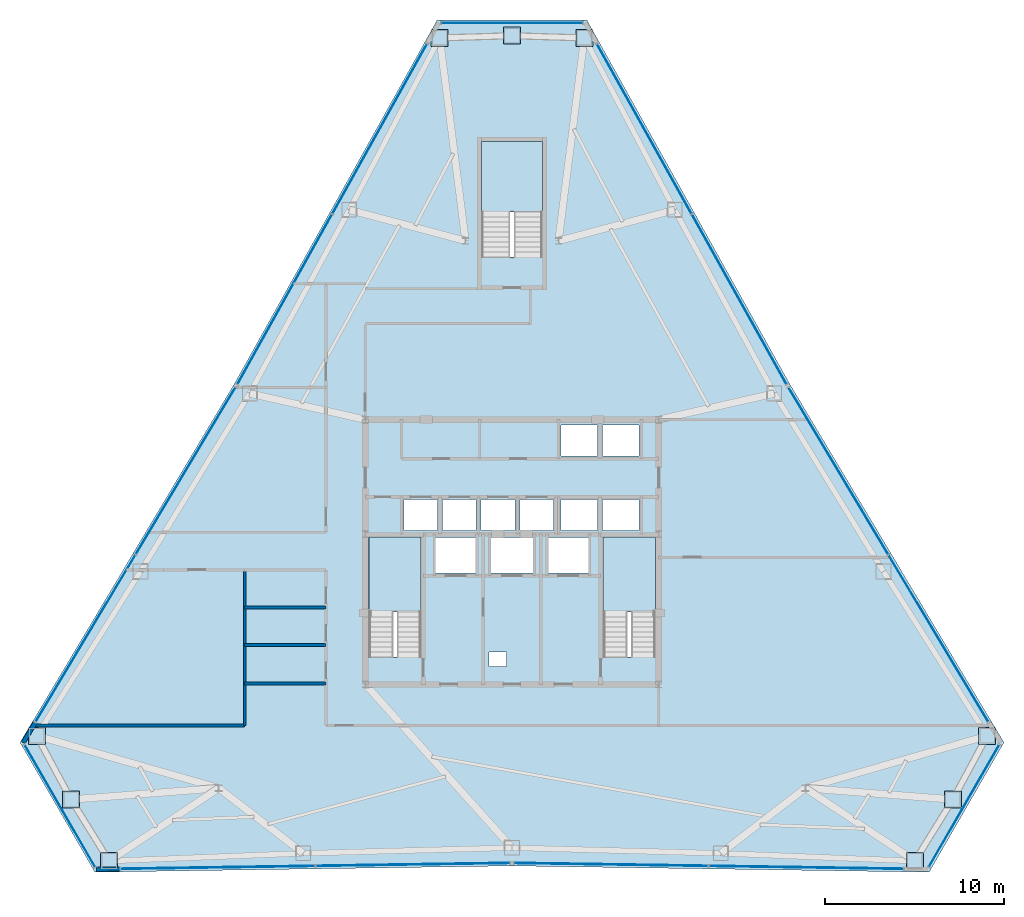
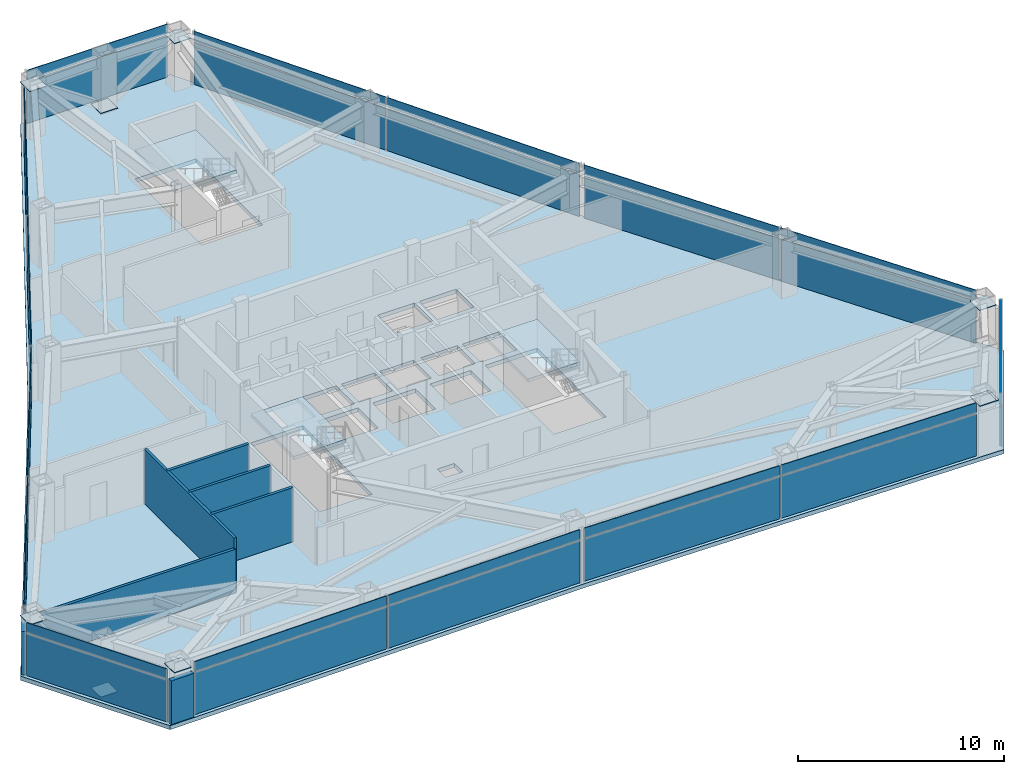
# One storey, part 9 of 13: 39 plates, 7 walls, 4 slabs, 12 elements without a shape of their own.
"""IFC4 building model written with IfcOpenShell, lengths in metres."""

from ifc_helpers import new_model, si_unit, direction, frame, frame_2d, origin, origin_2d, place, context, subcontext, project, spatial, polyline, rectangle, outline, extrude, source, transform, mapped, material, layer, layer_set, type_object, type_shapes, element, aggregate, save


model = new_model("IFC4")

# Units and contexts
model_context = context("Model", 3, precision=1e-05, world=origin(), true_north=direction((0.0, 1.0)))
body_context = subcontext(model_context, "Body", "Model", "MODEL_VIEW")
ifc_project = project(units=[si_unit("LENGTHUNIT", "METRE"), si_unit("AREAUNIT", "SQUARE_METRE"), si_unit("VOLUMEUNIT", "CUBIC_METRE"), si_unit("PLANEANGLEUNIT", "RADIAN"), si_unit("MASSUNIT", "GRAM", prefix="KILO")], contexts=[model_context])

# Site, building, storey
site_placement = place(None, origin())
site = spatial("IfcSite", under=ifc_project, at=site_placement, CompositionType="ELEMENT")
building_placement = place(site_placement, origin())
building = spatial("IfcBuilding", under=site, at=building_placement, Name="Varakhsha Concourse Tower", CompositionType="ELEMENT")
storey_placement = place(building_placement, frame((0.0, 0.0, 143.60009765625)))
storey = spatial("IfcBuildingStorey", under=building, at=storey_placement, Name="L41", CompositionType="ELEMENT", Elevation=143.60009765625)

# Slab
ifc_material_1 = material(Name="Concrete fc 45 MPa", Category="concrete")
ifc_layer_1 = layer(ifc_material_1, 0.239990234375, Name="SL-FLR-240")
ifc_layer_set_1 = layer_set([ifc_layer_1], Name="Concrete fc 45 MPa")
slab_type_1 = type_object("IfcSlabType", Name="SL-FLR-240", PredefinedType="FLOOR", material=ifc_layer_set_1)
slab_1_placement = place(storey_placement, frame((0.0, 0.0, -0.239990234375)))
element("IfcSlab", 1, at=slab_1_placement, inside=storey, type_object=slab_type_1, Name="L41 Composite Structural Slab", PredefinedType="FLOOR", context=body_context, shape_type="SweptSolid", body=[
    extrude(outline(polyline([(44.185791015625, 53.55029296875), (35.814208984375, 53.55029296875), (24.4560546875, 33.17431640625), (12.4892578125, 13.14990234375), (16.6748046875, 5.89990234375), (40.0, 6.25146484375), (63.3251953125, 5.89990234375), (67.5107421875, 13.14990234375), (55.5439453125, 33.17431640625), (44.185791015625, 53.55029296875)]), holes=[polyline([(34.919921875, 17.93994140625), (34.919921875, 24.6298828125), (32.0, 24.6298828125), (32.0, 17.93994140625), (34.919921875, 17.93994140625)]), polyline([(48.02001953125, 17.93994140625), (48.02001953125, 24.6298828125), (45.10009765625, 24.6298828125), (45.10009765625, 17.93994140625), (48.02001953125, 17.93994140625)]), polyline([(41.699951171875, 40.300048828125), (41.699951171875, 46.75), (38.300048828125, 46.75), (38.300048828125, 40.300048828125), (41.699951171875, 40.300048828125)]), polyline([(33.9599609375, 25.0), (35.840087890625, 25.0), (35.840087890625, 26.739990234375), (33.9599609375, 26.739990234375), (33.9599609375, 25.0)]), polyline([(36.1201171875, 25.0), (38.0, 25.0), (38.0, 26.739990234375), (36.1201171875, 26.739990234375), (36.1201171875, 25.0)]), polyline([(38.280029296875, 25.0), (40.159912109375, 25.0), (40.159912109375, 26.739990234375), (38.280029296875, 26.739990234375), (38.280029296875, 25.0)]), polyline([(40.43994140625, 25.0), (42.320068359375, 25.0), (42.320068359375, 26.739990234375), (40.43994140625, 26.739990234375), (40.43994140625, 25.0)]), polyline([(42.739990234375, 29.159912109375), (44.780029296875, 29.159912109375), (44.780029296875, 30.89990234375), (42.739990234375, 30.89990234375), (42.739990234375, 29.159912109375)]), polyline([(45.06005859375, 29.159912109375), (47.10009765625, 29.159912109375), (47.10009765625, 30.89990234375), (45.06005859375, 30.89990234375), (45.06005859375, 29.159912109375)]), polyline([(42.739990234375, 25.0), (44.780029296875, 25.0), (44.780029296875, 26.739990234375), (42.739990234375, 26.739990234375), (42.739990234375, 25.0)]), polyline([(45.06005859375, 25.0), (47.10009765625, 25.0), (47.10009765625, 26.739990234375), (45.06005859375, 26.739990234375), (45.06005859375, 25.0)]), polyline([(35.7099609375, 22.639892578125), (37.989990234375, 22.639892578125), (37.989990234375, 24.60009765625), (35.7099609375, 24.60009765625), (35.7099609375, 22.639892578125)]), polyline([(42.010009765625, 22.639892578125), (44.2900390625, 22.639892578125), (44.2900390625, 24.60009765625), (42.010009765625, 24.60009765625), (42.010009765625, 22.639892578125)]), polyline([(38.81005859375, 22.639892578125), (41.18994140625, 22.639892578125), (41.18994140625, 24.60009765625), (38.81005859375, 24.60009765625), (38.81005859375, 22.639892578125)]), polyline([(38.719970703125, 17.39990234375), (39.679931640625, 17.39990234375), (39.679931640625, 18.199951171875), (38.719970703125, 18.199951171875), (38.719970703125, 17.39990234375)])]), origin(), (0.0, 0.0, 1.0), 0.239990234375),
])

# Stair, slab
stair_type_1 = type_object("IfcStairType", Name="ST-DOGLEG-1360", PredefinedType="HALF_TURN_STAIR", material=ifc_material_1)
stair_1_placement = place(storey_placement, origin())
stair_1 = element("IfcStair", 2, at=stair_1_placement, inside=storey, type_object=stair_type_1, Name="L41 Protected Exit Stair ST1", PredefinedType="HALF_TURN_STAIR")
ifc_layer_2 = layer(ifc_material_1, 0.199951171875, Name="SL-LAND-200")
ifc_layer_set_2 = layer_set([ifc_layer_2], Name="Concrete fc 45 MPa")
slab_type_2 = type_object("IfcSlabType", Name="SL-LAND-200", PredefinedType="LANDING", material=ifc_layer_set_2)
slab_2_placement = place(storey_placement, frame((0.0, 0.0, 1.52490234375)))
slab_2 = element("IfcSlab", 3, at=slab_2_placement, type_object=slab_type_2, Name="ST1 landing 1", PredefinedType="LANDING", context=body_context, shape_type="SweptSolid", body=[
    extrude(outline(polyline([(34.919921875, 20.4599609375), (34.919921875, 24.6298828125), (32.0, 24.6298828125), (32.0, 20.4599609375), (34.919921875, 20.4599609375)])), origin(), (0.0, 0.0, 1.0), 0.199951171875),
])
aggregate(stair_1, [slab_2])

stair_2_placement = place(storey_placement, origin())
stair_2 = element("IfcStair", 4, at=stair_2_placement, inside=storey, type_object=stair_type_1, Name="L41 Protected Exit Stair ST2", PredefinedType="HALF_TURN_STAIR")
slab_3_placement = place(storey_placement, frame((0.0, 0.0, 1.52490234375)))
slab_3 = element("IfcSlab", 5, at=slab_3_placement, type_object=slab_type_2, Name="ST2 landing 1", PredefinedType="LANDING", context=body_context, shape_type="SweptSolid", body=[
    extrude(outline(polyline([(48.02001953125, 20.4599609375), (48.02001953125, 24.6298828125), (45.10009765625, 24.6298828125), (45.10009765625, 20.4599609375), (48.02001953125, 20.4599609375)])), origin(), (0.0, 0.0, 1.0), 0.199951171875),
])
aggregate(stair_2, [slab_3])

stair_type_2 = type_object("IfcStairType", Name="ST-DOGLEG-1600", PredefinedType="HALF_TURN_STAIR", material=ifc_material_1)
stair_3_placement = place(storey_placement, origin())
stair_3 = element("IfcStair", 6, at=stair_3_placement, inside=storey, type_object=stair_type_2, Name="L41 Protected Exit Stair ST5", PredefinedType="HALF_TURN_STAIR")
slab_4_placement = place(storey_placement, frame((0.0, 0.0, 1.52490234375)))
slab_4 = element("IfcSlab", 7, at=slab_4_placement, type_object=slab_type_2, Name="ST5 landing 1", PredefinedType="LANDING", context=body_context, shape_type="SweptSolid", body=[
    extrude(outline(polyline([(41.699951171875, 42.820068359375), (41.699951171875, 46.75), (38.300048828125, 46.75), (38.300048828125, 42.820068359375), (41.699951171875, 42.820068359375)])), origin(), (0.0, 0.0, 1.0), 0.199951171875),
])
aggregate(stair_3, [slab_4])

# Plates
ifc_material_2 = material(Name="Structural Steel ASTM A572 Grade 50", Category="steel")
ifc_layer_3 = layer(ifc_material_2, 0.030029296875, Name="PL-ENDCAP-950")
ifc_layer_set_3 = layer_set([ifc_layer_3], Name="Structural Steel ASTM A572 Grade 50")
plate_type_1 = type_object("IfcPlateType", Name="PL-ENDCAP-950", PredefinedType="USERDEFINED", material=ifc_layer_set_3)
shared_shape_1 = source(origin(), body_context, "Body", "SweptSolid", [
    extrude(rectangle(XDim=0.949951171875, YDim=0.949951171875, at=origin_2d()), origin(), (0.0, 0.0, 1.0), 0.030029296875),
])
type_shapes(plate_type_1, [shared_shape_1])
for number, where, z_axis, x_axis, name in (
    (8, (40.0, 52.670166015625, 0.10498046875), (0.0, 0.0, 1.0), (1.0, 0.0, 0.0), "Hollow Section End Cap GP-NODE-L41-0394"),
    (9, (44.042724609375, 52.54833984375, 2.89501953125), (0.0, 0.0, 1.0), (1.0, 0.0, 0.0), "Hollow Section End Cap GP-NODE-L41-0395"),
    (10, (35.957275390625, 52.54833984375, 2.89501953125), (0.0, 0.0, 1.0), (1.0, 0.0, 0.0), "Hollow Section End Cap GP-NODE-L41-0396"),
    (11, (15.34423828125, 9.96484375, 0.10498046875), (0.0, 0.0, 1.0), (1.0, 0.0, 0.0), "Hollow Section End Cap GP-NODE-L41-0397"),
    (12, (13.42822265625, 13.527099609375, 2.89501953125), (0.0, 0.0, 1.0), (1.0, 0.0, 0.0), "Hollow Section End Cap GP-NODE-L41-0398"),
    (13, (17.47119140625, 6.524658203125, 2.89501953125), (0.0, 0.0, 1.0), (1.0, 0.0, 0.0), "Hollow Section End Cap GP-NODE-L41-0399"),
    (14, (64.65576171875, 9.96484375, 0.10498046875), (0.0, 0.0, 1.0), (1.0, 0.0, 0.0), "Hollow Section End Cap GP-NODE-L41-0400"),
    (15, (62.52880859375, 6.524658203125, 2.89501953125), (0.0, 0.0, 1.0), (1.0, 0.0, 0.0), "Hollow Section End Cap GP-NODE-L41-0401"),
    (16, (66.57177734375, 13.527099609375, 2.89501953125), (0.0, 0.0, 1.0), (1.0, 0.0, 0.0), "Hollow Section End Cap GP-NODE-L41-0402"),
):
    element("IfcPlate", number, at=place(storey_placement, frame(where, z_axis=z_axis, x_axis=x_axis)), inside=storey, type_object=plate_type_1, Name=name, ObjectType="END PLATE", PredefinedType="USERDEFINED", context=body_context, shape_type="MappedRepresentation", body=[
        mapped(shared_shape_1, transform((0.0, 0.0, 0.0), scale=1.0)),
    ])

# Curtain wall, plate
ifc_material_3 = material(Name="Anodised Bronze Architectural Aluminium AA 6063-T6", Category="aluminium")
ifc_layer_4 = layer(ifc_material_3, 0.2099609375, Name="CW-SYS-04")
ifc_layer_set_4 = layer_set([ifc_layer_4], Name="Anodised Bronze Architectural Aluminium AA 6063-T6")
curtain_wall_type = type_object("IfcCurtainWallType", Name="CW-SYS-04", PredefinedType="NOTDEFINED", material=ifc_layer_set_4)
curtain_wall_1_placement = place(storey_placement, origin())
curtain_wall_1 = element("IfcCurtainWall", 17, at=curtain_wall_1_placement, inside=storey, type_object=curtain_wall_type, Name="L41 Crystal Curtain Wall F2", PredefinedType="NOTDEFINED")
ifc_material_4 = material(Name="Low-E Triple Insulating Glass IGU 44 mm", Category="glass")
ifc_layer_5 = layer(ifc_material_4, 0.0439453125, Name="CWP-IGU-44")
ifc_layer_set_5 = layer_set([ifc_layer_5], Name="Low-E Triple Insulating Glass IGU 44 mm")
plate_type_2 = type_object("IfcPlateType", Name="CWP-IGU-44", PredefinedType="CURTAIN_PANEL", material=ifc_layer_set_5)
shared_shape_2 = source(origin(), body_context, "Body", "SweptSolid", [
    extrude(rectangle(XDim=10.834716796875, YDim=0.0439453125, at=origin_2d()), origin(), (0.0, 0.0, 1.0), 2.490966796875),
])
plate_1_placement = place(storey_placement, frame((32.605712890625, 47.465576171875, 0.0341796875), z_axis=(0.0, 0.0, 1.0), x_axis=(0.48689953646, 0.873457979181, 0.0)))
plate_1 = element("IfcPlate", 18, at=plate_1_placement, type_object=plate_type_2, Name="CW-L41-F2 Panel 01-00", PredefinedType="CURTAIN_PANEL", context=body_context, shape_type="MappedRepresentation", body=[
    mapped(shared_shape_2, transform((0.0, 0.0, 0.0), scale=1.0)),
])

curtain_wall_2_placement = place(storey_placement, origin())
curtain_wall_2 = element("IfcCurtainWall", 19, at=curtain_wall_2_placement, inside=storey, type_object=curtain_wall_type, Name="L41 Crystal Curtain Wall F5", PredefinedType="NOTDEFINED")
plate_2_placement = place(storey_placement, frame((23.548583984375, 6.16357421875, 0.0341796875), z_axis=(0.0, 0.0, 1.0), x_axis=(-0.99988654105, -0.015063367057, 0.0)))
plate_2 = element("IfcPlate", 20, at=plate_2_placement, type_object=plate_type_2, Name="CW-L41-F5 Panel 01-00", PredefinedType="CURTAIN_PANEL", context=body_context, shape_type="MappedRepresentation", body=[
    mapped(shared_shape_2, transform((0.0, 0.0, 0.0), scale=1.0)),
])

curtain_wall_3_placement = place(storey_placement, origin())
curtain_wall_3 = element("IfcCurtainWall", 21, at=curtain_wall_3_placement, inside=storey, type_object=curtain_wall_type, Name="L41 Crystal Curtain Wall F6", PredefinedType="NOTDEFINED")
plate_3_placement = place(storey_placement, frame((45.538818359375, 6.327880859375, 0.0341796875), z_axis=(0.0, 0.0, 1.0), x_axis=(-0.99988654105, 0.015063367057, 0.0)))
plate_3 = element("IfcPlate", 22, at=plate_3_placement, type_object=plate_type_2, Name="CW-L41-F6 Panel 01-00", PredefinedType="CURTAIN_PANEL", context=body_context, shape_type="MappedRepresentation", body=[
    mapped(shared_shape_2, transform((0.0, 0.0, 0.0), scale=1.0)),
])

curtain_wall_4_placement = place(storey_placement, origin())
curtain_wall_4 = element("IfcCurtainWall", 23, at=curtain_wall_4_placement, inside=storey, type_object=curtain_wall_type, Name="L41 Crystal Curtain Wall F9", PredefinedType="NOTDEFINED")
plate_4_placement = place(storey_placement, frame((52.708251953125, 37.9326171875, 0.0341796875), z_axis=(0.0, 0.0, 1.0), x_axis=(0.48689953646, -0.873457979181, 0.0)))
plate_4 = element("IfcPlate", 24, at=plate_4_placement, type_object=plate_type_2, Name="CW-L41-F9 Panel 01-00", PredefinedType="CURTAIN_PANEL", context=body_context, shape_type="MappedRepresentation", body=[
    mapped(shared_shape_2, transform((0.0, 0.0, 0.0), scale=1.0)),
])

# Plate
ifc_material_5 = material(Name="Glazed Turquoise-Bronze Ceramic Spandrel Panel 38 mm", Category="ceramic")
ifc_layer_6 = layer(ifc_material_5, 0.0380859375, Name="CWP-SPN-38")
ifc_layer_set_6 = layer_set([ifc_layer_6], Name="Glazed Turquoise-Bronze Ceramic Spandrel Panel 38 mm")
plate_type_3 = type_object("IfcPlateType", Name="CWP-SPN-38", PredefinedType="USERDEFINED", material=ifc_layer_set_6)
shared_shape_3 = source(origin(), body_context, "Body", "SweptSolid", [
    extrude(rectangle(XDim=10.834716796875, YDim=0.0380859375, at=origin_2d()), origin(), (0.0, 0.0, 1.0), 0.5810546875),
])
plate_5_placement = place(storey_placement, frame((32.605712890625, 47.465576171875, 2.594482421875), z_axis=(0.0, 0.0, 1.0), x_axis=(0.48689953646, 0.873457979181, 0.0)))
plate_5 = element("IfcPlate", 25, at=plate_5_placement, type_object=plate_type_3, Name="CW-L41-F2 Panel 01-01", ObjectType="SPANDREL", PredefinedType="USERDEFINED", context=body_context, shape_type="MappedRepresentation", body=[
    mapped(shared_shape_3, transform((0.0, 0.0, 0.0), scale=1.0)),
])

plate_6_placement = place(storey_placement, frame((23.548583984375, 6.16357421875, 2.594482421875), z_axis=(0.0, 0.0, 1.0), x_axis=(-0.99988654105, -0.015063367057, 0.0)))
plate_6 = element("IfcPlate", 26, at=plate_6_placement, type_object=plate_type_3, Name="CW-L41-F5 Panel 01-01", ObjectType="SPANDREL", PredefinedType="USERDEFINED", context=body_context, shape_type="MappedRepresentation", body=[
    mapped(shared_shape_3, transform((0.0, 0.0, 0.0), scale=1.0)),
])

plate_7_placement = place(storey_placement, frame((45.538818359375, 6.327880859375, 2.594482421875), z_axis=(0.0, 0.0, 1.0), x_axis=(-0.99988654105, 0.015063367057, 0.0)))
plate_7 = element("IfcPlate", 27, at=plate_7_placement, type_object=plate_type_3, Name="CW-L41-F6 Panel 01-01", ObjectType="SPANDREL", PredefinedType="USERDEFINED", context=body_context, shape_type="MappedRepresentation", body=[
    mapped(shared_shape_3, transform((0.0, 0.0, 0.0), scale=1.0)),
])

plate_8_placement = place(storey_placement, frame((52.708251953125, 37.9326171875, 2.594482421875), z_axis=(0.0, 0.0, 1.0), x_axis=(0.48689953646, -0.873457979181, 0.0)))
plate_8 = element("IfcPlate", 28, at=plate_8_placement, type_object=plate_type_3, Name="CW-L41-F9 Panel 01-01", ObjectType="SPANDREL", PredefinedType="USERDEFINED", context=body_context, shape_type="MappedRepresentation", body=[
    mapped(shared_shape_3, transform((0.0, 0.0, 0.0), scale=1.0)),
])

shared_shape_4 = source(origin(), body_context, "Body", "SweptSolid", [
    extrude(rectangle(XDim=10.8349609375, YDim=0.0439453125, at=origin_2d()), origin(), (0.0, 0.0, 1.0), 2.490966796875),
])
type_shapes(plate_type_2, [shared_shape_2, shared_shape_4])
plate_9_placement = place(storey_placement, frame((27.291748046875, 37.9326171875, 0.0341796875), z_axis=(0.0, 0.0, 1.0), x_axis=(0.48689953646, 0.873457979181, 0.0)))
plate_9 = element("IfcPlate", 29, at=plate_9_placement, type_object=plate_type_2, Name="CW-L41-F2 Panel 00-00", PredefinedType="CURTAIN_PANEL", context=body_context, shape_type="MappedRepresentation", body=[
    mapped(shared_shape_4, transform((0.0, 0.0, 0.0), scale=1.0)),
])

# Curtain wall, plates
curtain_wall_5_placement = place(storey_placement, origin())
curtain_wall_5 = element("IfcCurtainWall", 30, at=curtain_wall_5_placement, inside=storey, type_object=curtain_wall_type, Name="L41 Crystal Curtain Wall F3", PredefinedType="NOTDEFINED")
plate_10_placement = place(storey_placement, frame((16.154296875, 18.970947265625, 0.0341796875), z_axis=(0.0, 0.0, 1.0), x_axis=(0.512984034508, 0.858398147913, 0.0)))
plate_10 = element("IfcPlate", 31, at=plate_10_placement, type_object=plate_type_2, Name="CW-L41-F3 Panel 00-00", PredefinedType="CURTAIN_PANEL", context=body_context, shape_type="MappedRepresentation", body=[
    mapped(shared_shape_4, transform((0.0, 0.0, 0.0), scale=1.0)),
])
plate_11_placement = place(storey_placement, frame((21.7529296875, 28.33935546875, 0.0341796875), z_axis=(0.0, 0.0, 1.0), x_axis=(0.512984034508, 0.858398147913, 0.0)))
plate_11 = element("IfcPlate", 32, at=plate_11_placement, type_object=plate_type_2, Name="CW-L41-F3 Panel 01-00", PredefinedType="CURTAIN_PANEL", context=body_context, shape_type="MappedRepresentation", body=[
    mapped(shared_shape_4, transform((0.0, 0.0, 0.0), scale=1.0)),
])

# Plate
plate_12_placement = place(storey_placement, frame((34.461181640625, 6.327880859375, 0.0341796875), z_axis=(0.0, 0.0, 1.0), x_axis=(-0.99988654105, -0.015063367057, 0.0)))
plate_12 = element("IfcPlate", 33, at=plate_12_placement, type_object=plate_type_2, Name="CW-L41-F5 Panel 00-00", PredefinedType="CURTAIN_PANEL", context=body_context, shape_type="MappedRepresentation", body=[
    mapped(shared_shape_4, transform((0.0, 0.0, 0.0), scale=1.0)),
])

plate_13_placement = place(storey_placement, frame((56.451416015625, 6.16357421875, 0.0341796875), z_axis=(0.0, 0.0, 1.0), x_axis=(-0.99988654105, 0.015063367057, 0.0)))
plate_13 = element("IfcPlate", 34, at=plate_13_placement, type_object=plate_type_2, Name="CW-L41-F6 Panel 00-00", PredefinedType="CURTAIN_PANEL", context=body_context, shape_type="MappedRepresentation", body=[
    mapped(shared_shape_4, transform((0.0, 0.0, 0.0), scale=1.0)),
])

# Curtain wall, plates
curtain_wall_6_placement = place(storey_placement, origin())
curtain_wall_6 = element("IfcCurtainWall", 35, at=curtain_wall_6_placement, inside=storey, type_object=curtain_wall_type, Name="L41 Crystal Curtain Wall F8", PredefinedType="NOTDEFINED")
plate_14_placement = place(storey_placement, frame((58.2470703125, 28.33935546875, 0.0341796875), z_axis=(0.0, 0.0, 1.0), x_axis=(0.512984034508, -0.858398147913, 0.0)))
plate_14 = element("IfcPlate", 36, at=plate_14_placement, type_object=plate_type_2, Name="CW-L41-F8 Panel 00-00", PredefinedType="CURTAIN_PANEL", context=body_context, shape_type="MappedRepresentation", body=[
    mapped(shared_shape_4, transform((0.0, 0.0, 0.0), scale=1.0)),
])
plate_15_placement = place(storey_placement, frame((63.845703125, 18.970947265625, 0.0341796875), z_axis=(0.0, 0.0, 1.0), x_axis=(0.512984034508, -0.858398147913, 0.0)))
plate_15 = element("IfcPlate", 37, at=plate_15_placement, type_object=plate_type_2, Name="CW-L41-F8 Panel 01-00", PredefinedType="CURTAIN_PANEL", context=body_context, shape_type="MappedRepresentation", body=[
    mapped(shared_shape_4, transform((0.0, 0.0, 0.0), scale=1.0)),
])

# Plate
plate_16_placement = place(storey_placement, frame((47.394287109375, 47.465576171875, 0.0341796875), z_axis=(0.0, 0.0, 1.0), x_axis=(0.48689953646, -0.873457979181, 0.0)))
plate_16 = element("IfcPlate", 38, at=plate_16_placement, type_object=plate_type_2, Name="CW-L41-F9 Panel 00-00", PredefinedType="CURTAIN_PANEL", context=body_context, shape_type="MappedRepresentation", body=[
    mapped(shared_shape_4, transform((0.0, 0.0, 0.0), scale=1.0)),
])

shared_shape_5 = source(origin(), body_context, "Body", "SweptSolid", [
    extrude(rectangle(XDim=10.8349609375, YDim=0.0380859375, at=origin_2d()), origin(), (0.0, 0.0, 1.0), 0.5810546875),
])
plate_17_placement = place(storey_placement, frame((27.291748046875, 37.9326171875, 2.594482421875), z_axis=(0.0, 0.0, 1.0), x_axis=(0.48689953646, 0.873457979181, 0.0)))
plate_17 = element("IfcPlate", 39, at=plate_17_placement, type_object=plate_type_3, Name="CW-L41-F2 Panel 00-01", ObjectType="SPANDREL", PredefinedType="USERDEFINED", context=body_context, shape_type="MappedRepresentation", body=[
    mapped(shared_shape_5, transform((0.0, 0.0, 0.0), scale=1.0)),
])

aggregate(curtain_wall_1, [plate_9, plate_17, plate_1, plate_5])

plate_18_placement = place(storey_placement, frame((16.154296875, 18.970947265625, 2.594482421875), z_axis=(0.0, 0.0, 1.0), x_axis=(0.512984034508, 0.858398147913, 0.0)))
plate_18 = element("IfcPlate", 40, at=plate_18_placement, type_object=plate_type_3, Name="CW-L41-F3 Panel 00-01", ObjectType="SPANDREL", PredefinedType="USERDEFINED", context=body_context, shape_type="MappedRepresentation", body=[
    mapped(shared_shape_5, transform((0.0, 0.0, 0.0), scale=1.0)),
])

plate_19_placement = place(storey_placement, frame((21.7529296875, 28.33935546875, 2.594482421875), z_axis=(0.0, 0.0, 1.0), x_axis=(0.512984034508, 0.858398147913, 0.0)))
plate_19 = element("IfcPlate", 41, at=plate_19_placement, type_object=plate_type_3, Name="CW-L41-F3 Panel 01-01", ObjectType="SPANDREL", PredefinedType="USERDEFINED", context=body_context, shape_type="MappedRepresentation", body=[
    mapped(shared_shape_5, transform((0.0, 0.0, 0.0), scale=1.0)),
])

aggregate(curtain_wall_5, [plate_10, plate_18, plate_11, plate_19])

plate_20_placement = place(storey_placement, frame((34.461181640625, 6.327880859375, 2.594482421875), z_axis=(0.0, 0.0, 1.0), x_axis=(-0.99988654105, -0.015063367057, 0.0)))
plate_20 = element("IfcPlate", 42, at=plate_20_placement, type_object=plate_type_3, Name="CW-L41-F5 Panel 00-01", ObjectType="SPANDREL", PredefinedType="USERDEFINED", context=body_context, shape_type="MappedRepresentation", body=[
    mapped(shared_shape_5, transform((0.0, 0.0, 0.0), scale=1.0)),
])

aggregate(curtain_wall_2, [plate_12, plate_20, plate_2, plate_6])

plate_21_placement = place(storey_placement, frame((56.451416015625, 6.16357421875, 2.594482421875), z_axis=(0.0, 0.0, 1.0), x_axis=(-0.99988654105, 0.015063367057, 0.0)))
plate_21 = element("IfcPlate", 43, at=plate_21_placement, type_object=plate_type_3, Name="CW-L41-F6 Panel 00-01", ObjectType="SPANDREL", PredefinedType="USERDEFINED", context=body_context, shape_type="MappedRepresentation", body=[
    mapped(shared_shape_5, transform((0.0, 0.0, 0.0), scale=1.0)),
])

aggregate(curtain_wall_3, [plate_13, plate_21, plate_3, plate_7])

plate_22_placement = place(storey_placement, frame((58.2470703125, 28.33935546875, 2.594482421875), z_axis=(0.0, 0.0, 1.0), x_axis=(0.512984034508, -0.858398147913, 0.0)))
plate_22 = element("IfcPlate", 44, at=plate_22_placement, type_object=plate_type_3, Name="CW-L41-F8 Panel 00-01", ObjectType="SPANDREL", PredefinedType="USERDEFINED", context=body_context, shape_type="MappedRepresentation", body=[
    mapped(shared_shape_5, transform((0.0, 0.0, 0.0), scale=1.0)),
])

plate_23_placement = place(storey_placement, frame((63.845703125, 18.970947265625, 2.594482421875), z_axis=(0.0, 0.0, 1.0), x_axis=(0.512984034508, -0.858398147913, 0.0)))
plate_23 = element("IfcPlate", 45, at=plate_23_placement, type_object=plate_type_3, Name="CW-L41-F8 Panel 01-01", ObjectType="SPANDREL", PredefinedType="USERDEFINED", context=body_context, shape_type="MappedRepresentation", body=[
    mapped(shared_shape_5, transform((0.0, 0.0, 0.0), scale=1.0)),
])

aggregate(curtain_wall_6, [plate_14, plate_22, plate_15, plate_23])

plate_24_placement = place(storey_placement, frame((47.394287109375, 47.465576171875, 2.594482421875), z_axis=(0.0, 0.0, 1.0), x_axis=(0.48689953646, -0.873457979181, 0.0)))
plate_24 = element("IfcPlate", 46, at=plate_24_placement, type_object=plate_type_3, Name="CW-L41-F9 Panel 00-01", ObjectType="SPANDREL", PredefinedType="USERDEFINED", context=body_context, shape_type="MappedRepresentation", body=[
    mapped(shared_shape_5, transform((0.0, 0.0, 0.0), scale=1.0)),
])

aggregate(curtain_wall_4, [plate_16, plate_24, plate_4, plate_8])

# Curtain wall, plate
curtain_wall_7_placement = place(storey_placement, origin())
curtain_wall_7 = element("IfcCurtainWall", 47, at=curtain_wall_7_placement, inside=storey, type_object=curtain_wall_type, Name="L41 Chamfer Curtain Wall F1", PredefinedType="NOTDEFINED")
ifc_material_6 = material(Name="Insulated Anodised Bronze Aluminium Spandrel 36 mm", Category="aluminium")
ifc_layer_7 = layer(ifc_material_6, 0.035888671875, Name="CWP-SPN-36")
ifc_layer_set_7 = layer_set([ifc_layer_7], Name="Insulated Anodised Bronze Aluminium Spandrel 36 mm")
plate_type_4 = type_object("IfcPlateType", Name="CWP-SPN-36", PredefinedType="USERDEFINED", material=ifc_layer_set_7)
shared_shape_6 = source(origin(), body_context, "Body", "SweptSolid", [
    extrude(rectangle(XDim=7.852294921875, YDim=0.035888671875, at=origin_2d()), origin(), (0.0, 0.0, 1.0), 2.490966796875),
])
type_shapes(plate_type_4, [shared_shape_6])
plate_25_placement = place(storey_placement, frame((40.0, 53.39013671875, 0.0341796875), z_axis=(0.0, 0.0, 1.0), x_axis=(1.0, 0.0, 0.0)))
plate_25 = element("IfcPlate", 48, at=plate_25_placement, type_object=plate_type_4, Name="CW-L41-F1 Panel 00-00", ObjectType="SPANDREL", PredefinedType="USERDEFINED", context=body_context, shape_type="MappedRepresentation", body=[
    mapped(shared_shape_6, transform((0.0, 0.0, 0.0), scale=1.0)),
])

curtain_wall_8_placement = place(storey_placement, origin())
curtain_wall_8 = element("IfcCurtainWall", 49, at=curtain_wall_8_placement, inside=storey, type_object=curtain_wall_type, Name="L41 Chamfer Curtain Wall F4", PredefinedType="NOTDEFINED")
plate_26_placement = place(storey_placement, frame((14.720703125, 9.60498046875, 0.0341796875), z_axis=(0.0, 0.0, 1.0), x_axis=(-0.5, 0.866025403784, 0.0)))
plate_26 = element("IfcPlate", 50, at=plate_26_placement, type_object=plate_type_4, Name="CW-L41-F4 Panel 00-00", ObjectType="SPANDREL", PredefinedType="USERDEFINED", context=body_context, shape_type="MappedRepresentation", body=[
    mapped(shared_shape_6, transform((0.0, 0.0, 0.0), scale=1.0)),
])

curtain_wall_9_placement = place(storey_placement, origin())
curtain_wall_9 = element("IfcCurtainWall", 51, at=curtain_wall_9_placement, inside=storey, type_object=curtain_wall_type, Name="L41 Chamfer Curtain Wall F7", PredefinedType="NOTDEFINED")
plate_27_placement = place(storey_placement, frame((65.279296875, 9.60498046875, 0.0341796875), z_axis=(0.0, 0.0, 1.0), x_axis=(-0.5, -0.866025403784, 0.0)))
plate_27 = element("IfcPlate", 52, at=plate_27_placement, type_object=plate_type_4, Name="CW-L41-F7 Panel 00-00", ObjectType="SPANDREL", PredefinedType="USERDEFINED", context=body_context, shape_type="MappedRepresentation", body=[
    mapped(shared_shape_6, transform((0.0, 0.0, 0.0), scale=1.0)),
])

# Plate
shared_shape_7 = source(origin(), body_context, "Body", "SweptSolid", [
    extrude(rectangle(XDim=7.852294921875, YDim=0.0380859375, at=origin_2d()), origin(), (0.0, 0.0, 1.0), 0.5810546875),
])
type_shapes(plate_type_3, [shared_shape_3, shared_shape_5, shared_shape_7])
plate_28_placement = place(storey_placement, frame((40.0, 53.39013671875, 2.594482421875), z_axis=(0.0, 0.0, 1.0), x_axis=(1.0, 0.0, 0.0)))
plate_28 = element("IfcPlate", 53, at=plate_28_placement, type_object=plate_type_3, Name="CW-L41-F1 Panel 00-01", ObjectType="SPANDREL", PredefinedType="USERDEFINED", context=body_context, shape_type="MappedRepresentation", body=[
    mapped(shared_shape_7, transform((0.0, 0.0, 0.0), scale=1.0)),
])

aggregate(curtain_wall_7, [plate_25, plate_28])

plate_29_placement = place(storey_placement, frame((14.720703125, 9.60498046875, 2.594482421875), z_axis=(0.0, 0.0, 1.0), x_axis=(-0.5, 0.866025403784, 0.0)))
plate_29 = element("IfcPlate", 54, at=plate_29_placement, type_object=plate_type_3, Name="CW-L41-F4 Panel 00-01", ObjectType="SPANDREL", PredefinedType="USERDEFINED", context=body_context, shape_type="MappedRepresentation", body=[
    mapped(shared_shape_7, transform((0.0, 0.0, 0.0), scale=1.0)),
])

aggregate(curtain_wall_8, [plate_26, plate_29])

plate_30_placement = place(storey_placement, frame((65.279296875, 9.60498046875, 2.594482421875), z_axis=(0.0, 0.0, 1.0), x_axis=(-0.5, -0.866025403784, 0.0)))
plate_30 = element("IfcPlate", 55, at=plate_30_placement, type_object=plate_type_3, Name="CW-L41-F7 Panel 00-01", ObjectType="SPANDREL", PredefinedType="USERDEFINED", context=body_context, shape_type="MappedRepresentation", body=[
    mapped(shared_shape_7, transform((0.0, 0.0, 0.0), scale=1.0)),
])

aggregate(curtain_wall_9, [plate_27, plate_30])

# Walls
ifc_layer_8 = layer(ifc_material_1, 0.239990234375, Name="WL-EXT-CRN-240")
ifc_layer_set_8 = layer_set([ifc_layer_8], Name="Concrete fc 45 MPa")
wall_type_1 = type_object("IfcWallType", Name="WL-EXT-CRN-240", PredefinedType="SHEAR", material=ifc_layer_set_8)
wall_1_placement = place(storey_placement, frame((13.335693359375, 14.25439453125, 0.0), z_axis=(0.0, 0.0, 1.0), x_axis=(-0.513024934393, -0.858373704567, 0.0)))
element("IfcWall", 56, at=wall_1_placement, inside=storey, type_object=wall_type_1, Name="L41 Wind-Corner Shoulder Wall F3", PredefinedType="SHEAR", context=body_context, shape_type="SweptSolid", body=[
    extrude(rectangle(XDim=1.29443359375, YDim=0.239990234375, at=frame_2d((0.647216796875, 0.0))), origin(), (0.0, 0.0, 1.0), 2.5830078125),
])
wall_2_placement = place(storey_placement, frame((16.760498046875, 6.061279296875, 0.0), z_axis=(0.0, 0.0, 1.0), x_axis=(0.999886185818, 0.015086928492, 0.0)))
element("IfcWall", 57, at=wall_2_placement, inside=storey, type_object=wall_type_1, Name="L41 Wind-Corner Shoulder Wall F5", PredefinedType="SHEAR", context=body_context, shape_type="SweptSolid", body=[
    extrude(rectangle(XDim=1.294677734375, YDim=0.239990234375, at=frame_2d((0.6474609375, 0.0))), origin(), (0.0, 0.0, 1.0), 2.5830078125),
])
ifc_material_7 = material(Name="Fire-Rated Type X Gypsum Partition Assembly", Category="gypsum")
ifc_layer_9 = layer(ifc_material_7, 0.14990234375, Name="WL-PART-150")
ifc_layer_set_9 = layer_set([ifc_layer_9], Name="Fire-Rated Type X Gypsum Partition Assembly")
wall_type_2 = type_object("IfcWallType", Name="WL-PART-150", PredefinedType="PARTITIONING", material=ifc_layer_set_9)
wall_3_placement = place(storey_placement, frame((25.050048828125, 14.10009765625, 0.0), z_axis=(0.0, 0.0, 1.0), x_axis=(0.0, 1.0, 0.0)))
element("IfcWall", 58, at=wall_3_placement, inside=storey, type_object=wall_type_2, Name="L41 Wall C2WC-W-L41", PredefinedType="PARTITIONING", context=body_context, shape_type="SweptSolid", body=[
    extrude(rectangle(XDim=8.699951171875, YDim=0.14990234375, at=frame_2d((4.35009765625, 0.0))), origin(), (0.0, 0.0, 1.0), 3.2099609375),
])
for number, where, z_axis, x_axis, name in (
    (59, (25.050048828125, 16.449951171875, 0.0), (0.0, 0.0, 1.0), (1.0, 0.0, 0.0), "L41 Wall C2WC-S-L41"),
    (60, (25.050048828125, 18.60009765625, 0.0), (0.0, 0.0, 1.0), (1.0, 0.0, 0.0), "L41 Wall C2WC-D1-L41"),
    (61, (25.050048828125, 20.699951171875, 0.0), (0.0, 0.0, 1.0), (1.0, 0.0, 0.0), "L41 Wall C2WC-D2-L41"),
):
    element("IfcWall", number, at=place(storey_placement, frame(where, z_axis=z_axis, x_axis=x_axis)), inside=storey, type_object=wall_type_2, Name=name, PredefinedType="PARTITIONING", context=body_context, shape_type="SweptSolid", body=[
        extrude(rectangle(XDim=4.550048828125, YDim=0.14990234375, at=frame_2d((2.27490234375, 0.0))), origin(), (0.0, 0.0, 1.0), 3.2099609375),
    ])
wall_4_placement = place(storey_placement, frame((13.249267578125, 14.10009765625, 0.0), z_axis=(0.0, 0.0, 1.0), x_axis=(1.0, 0.0, 0.0)))
element("IfcWall", 62, at=wall_4_placement, inside=storey, type_object=wall_type_2, Name="L41 Wall ODIV-SWB-L41", PredefinedType="PARTITIONING", context=body_context, shape_type="SweptSolid", body=[
    extrude(rectangle(XDim=11.80078125, YDim=0.14990234375, at=frame_2d((5.900390625, 0.0))), origin(), (0.0, 0.0, 1.0), 2.5888671875),
])

save(model, "model.ifc")
